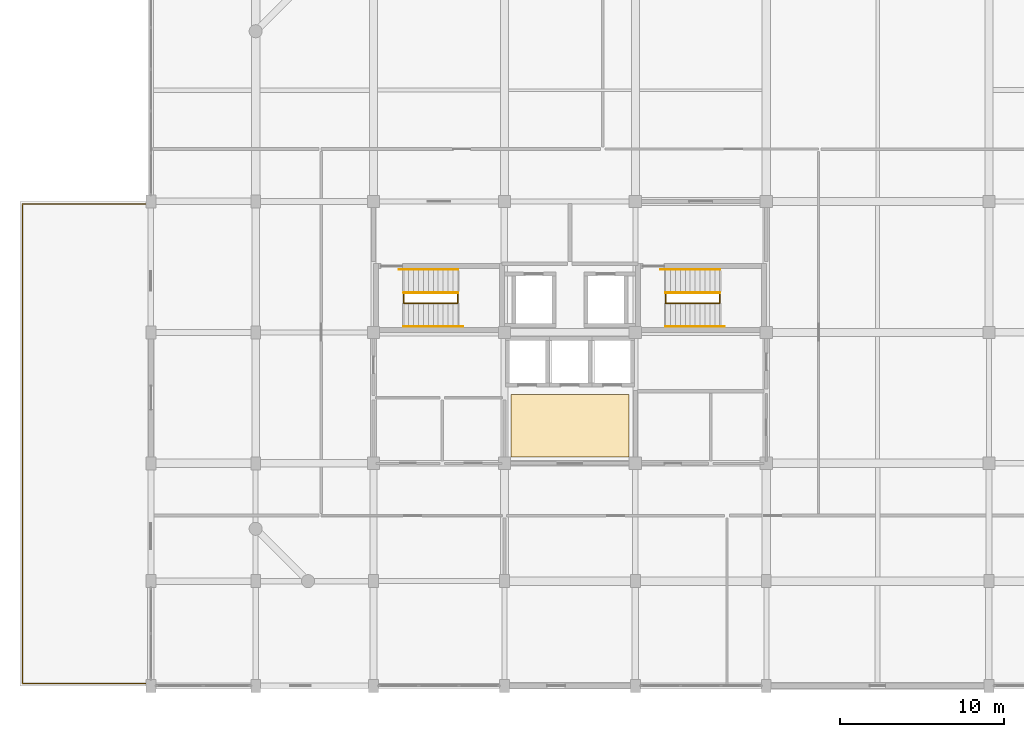
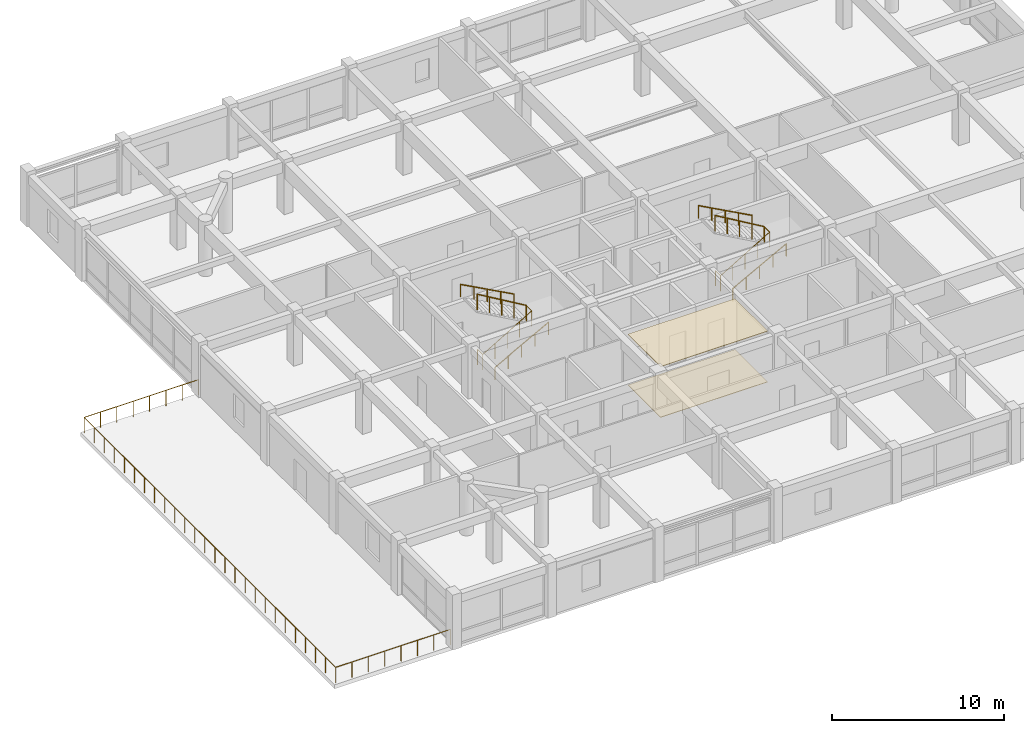
# One storey, part 14 of 14: 9 railings, 2 coverings.
"""IFC4 building model written with IfcOpenShell, lengths in metres."""

from ifc_helpers import new_model, si_unit, direction, frame, origin, origin_2d, place, context, subcontext, project, spatial, polyline, circle, outline, extrude, material, layer, layer_set, type_object, element, save


model = new_model("IFC4")

# Units and contexts
model_context = context("Model", 3, precision=1e-05, world=origin(), true_north=direction((0.0, 1.0)))
body_context = subcontext(model_context, "Body", "Model", "MODEL_VIEW")
ifc_project = project(units=[si_unit("LENGTHUNIT", "METRE"), si_unit("AREAUNIT", "SQUARE_METRE"), si_unit("VOLUMEUNIT", "CUBIC_METRE"), si_unit("PLANEANGLEUNIT", "RADIAN"), si_unit("MASSUNIT", "GRAM", prefix="KILO")], contexts=[model_context])

# Site, building, storey
site_placement = place(None, origin())
site = spatial("IfcSite", under=ifc_project, at=site_placement, CompositionType="ELEMENT")
building_placement = place(site_placement, origin())
building = spatial("IfcBuilding", under=site, at=building_placement, Name="Vellmiral Cinema and Media Centre", CompositionType="ELEMENT")
storey_placement = place(building_placement, frame((0.0, 0.0, 27.800048828125)))
storey = spatial("IfcBuildingStorey", under=building, at=storey_placement, Name="L06", CompositionType="ELEMENT", Elevation=27.800048828125)

# Coverings
ifc_material_1 = material(Name="Micro-Perforated Acoustic Gypsum Ceiling")
ifc_layer_1 = layer(ifc_material_1, 0.0400390625, Name="Micro-Perforated Acoustic Gypsum Ceiling")
ifc_layer_set_1 = layer_set([ifc_layer_1], Name="Micro-Perforated Acoustic Gypsum Ceiling")
covering_type_1 = type_object("IfcCoveringType", Name="COV-AC-CEILING", PredefinedType="CEILING", material=ifc_layer_set_1)
covering_1_placement = place(storey_placement, frame((0.0, 0.0, 3.599853515625)))
element("IfcCovering", 1, at=covering_1_placement, inside=storey, type_object=covering_type_1, Name="Acoustic Lobby Ceiling L06", PredefinedType="CEILING", context=body_context, shape_type="SweptSolid", body=[
    extrude(outline(polyline([(132.39990234375, 79.60009765625), (139.60009765625, 79.60009765625), (139.60009765625, 83.39990234375), (132.39990234375, 83.39990234375), (132.39990234375, 79.60009765625)])), origin(), (0.0, 0.0, 1.0), 0.0400390625),
])
ifc_material_2 = material(Name="Honed Terrazzo Acoustic Floor Finish")
ifc_layer_2 = layer(ifc_material_2, 0.030029296875, Name="Honed Terrazzo Acoustic Floor Finish")
ifc_layer_set_2 = layer_set([ifc_layer_2], Name="Honed Terrazzo Acoustic Floor Finish")
covering_type_2 = type_object("IfcCoveringType", Name="COV-TERR-FLOORING", PredefinedType="FLOORING", material=ifc_layer_set_2)
covering_2_placement = place(storey_placement, origin())
element("IfcCovering", 2, at=covering_2_placement, inside=storey, type_object=covering_type_2, Name="Terrazzo Lobby Flooring L06", PredefinedType="FLOORING", context=body_context, shape_type="SweptSolid", body=[
    extrude(outline(polyline([(132.39990234375, 79.60009765625), (139.60009765625, 79.60009765625), (139.60009765625, 83.39990234375), (132.39990234375, 83.39990234375), (132.39990234375, 79.60009765625)])), origin(), (0.0, 0.0, 1.0), 0.030029296875),
])

# Railings
ifc_material_3 = material(Name="Forged Wrought-Iron Whiplash Balustrade", Category="steel")
railing_type_1 = type_object("IfcRailingType", Name="RL-BAL-WROUGHT-1120", PredefinedType="BALUSTRADE", material=ifc_material_3)
railing_1_placement = place(storey_placement, frame((110.25, 95.050048828125, 0.0)))
element("IfcRailing", 3, at=railing_1_placement, inside=storey, type_object=railing_type_1, Name="Terrace Wrought-Iron Balustrade RL-TERR-L06-WEST", PredefinedType="BALUSTRADE", context=body_context, shape_type="SweptSolid", body=[
    extrude(circle(Radius=0.02392578125, at=origin_2d()), frame((0.0, 0.0, 1.09619140625), z_axis=(-1.0, 0.0, 0.0), x_axis=(0.0, -1.0, 0.0)), (0.0, 0.0, 1.0), 7.699951171875),
    extrude(circle(Radius=0.02392578125, at=origin_2d()), frame((-7.699951171875, 0.0, 1.09619140625), z_axis=(0.0, -1.0, 0.0), x_axis=(1.0, 0.0, 0.0)), (0.0, 0.0, 1.0), 29.300048828125),
    extrude(circle(Radius=0.02392578125, at=origin_2d()), frame((-7.699951171875, -29.300048828125, 1.09619140625), z_axis=(1.0, 0.0, 0.0), x_axis=(0.0, 1.0, 0.0)), (0.0, 0.0, 1.0), 7.699951171875),
    extrude(circle(Radius=0.02099609375, at=origin_2d()), origin(), (0.0, 0.0, 1.0), 1.072021484375),
    extrude(circle(Radius=0.02099609375, at=origin_2d()), frame((-1.10009765625, 0.0, 0.0)), (0.0, 0.0, 1.0), 1.072021484375),
    extrude(circle(Radius=0.02099609375, at=origin_2d()), frame((-2.199951171875, 0.0, 0.0)), (0.0, 0.0, 1.0), 1.072021484375),
    extrude(circle(Radius=0.02099609375, at=origin_2d()), frame((-3.300048828125, 0.0, 0.0)), (0.0, 0.0, 1.0), 1.072021484375),
    extrude(circle(Radius=0.02099609375, at=origin_2d()), frame((-4.39990234375, 0.0, 0.0)), (0.0, 0.0, 1.0), 1.072021484375),
    extrude(circle(Radius=0.02099609375, at=origin_2d()), frame((-5.5, 0.0, 0.0)), (0.0, 0.0, 1.0), 1.072021484375),
    extrude(circle(Radius=0.02099609375, at=origin_2d()), frame((-6.599853515625, 0.0, 0.0)), (0.0, 0.0, 1.0), 1.072021484375),
    extrude(circle(Radius=0.02099609375, at=origin_2d()), frame((-7.699951171875, 0.0, 0.0)), (0.0, 0.0, 1.0), 1.072021484375),
    extrude(circle(Radius=0.02099609375, at=origin_2d()), frame((-7.699951171875, -1.172119140625, 0.0)), (0.0, 0.0, 1.0), 1.072021484375),
    extrude(circle(Radius=0.02099609375, at=origin_2d()), frame((-7.699951171875, -2.343994140625, 0.0)), (0.0, 0.0, 1.0), 1.072021484375),
    extrude(circle(Radius=0.02099609375, at=origin_2d()), frame((-7.699951171875, -3.51611328125, 0.0)), (0.0, 0.0, 1.0), 1.072021484375),
    extrude(circle(Radius=0.02099609375, at=origin_2d()), frame((-7.699951171875, -4.68798828125, 0.0)), (0.0, 0.0, 1.0), 1.072021484375),
    extrude(circle(Radius=0.02099609375, at=origin_2d()), frame((-7.699951171875, -5.860107421875, 0.0)), (0.0, 0.0, 1.0), 1.072021484375),
    extrude(circle(Radius=0.02099609375, at=origin_2d()), frame((-7.699951171875, -7.031982421875, 0.0)), (0.0, 0.0, 1.0), 1.072021484375),
    extrude(circle(Radius=0.02099609375, at=origin_2d()), frame((-7.699951171875, -8.2041015625, 0.0)), (0.0, 0.0, 1.0), 1.072021484375),
    extrude(circle(Radius=0.02099609375, at=origin_2d()), frame((-7.699951171875, -9.3759765625, 0.0)), (0.0, 0.0, 1.0), 1.072021484375),
    extrude(circle(Radius=0.02099609375, at=origin_2d()), frame((-7.699951171875, -10.548095703125, 0.0)), (0.0, 0.0, 1.0), 1.072021484375),
    extrude(circle(Radius=0.02099609375, at=origin_2d()), frame((-7.699951171875, -11.719970703125, 0.0)), (0.0, 0.0, 1.0), 1.072021484375),
    extrude(circle(Radius=0.02099609375, at=origin_2d()), frame((-7.699951171875, -12.89208984375, 0.0)), (0.0, 0.0, 1.0), 1.072021484375),
    extrude(circle(Radius=0.02099609375, at=origin_2d()), frame((-7.699951171875, -14.06396484375, 0.0)), (0.0, 0.0, 1.0), 1.072021484375),
    extrude(circle(Radius=0.02099609375, at=origin_2d()), frame((-7.699951171875, -15.236083984375, 0.0)), (0.0, 0.0, 1.0), 1.072021484375),
    extrude(circle(Radius=0.02099609375, at=origin_2d()), frame((-7.699951171875, -16.407958984375, 0.0)), (0.0, 0.0, 1.0), 1.072021484375),
    extrude(circle(Radius=0.02099609375, at=origin_2d()), frame((-7.699951171875, -17.580078125, 0.0)), (0.0, 0.0, 1.0), 1.072021484375),
    extrude(circle(Radius=0.02099609375, at=origin_2d()), frame((-7.699951171875, -18.751953125, 0.0)), (0.0, 0.0, 1.0), 1.072021484375),
    extrude(circle(Radius=0.02099609375, at=origin_2d()), frame((-7.699951171875, -19.924072265625, 0.0)), (0.0, 0.0, 1.0), 1.072021484375),
    extrude(circle(Radius=0.02099609375, at=origin_2d()), frame((-7.699951171875, -21.095947265625, 0.0)), (0.0, 0.0, 1.0), 1.072021484375),
    extrude(circle(Radius=0.02099609375, at=origin_2d()), frame((-7.699951171875, -22.26806640625, 0.0)), (0.0, 0.0, 1.0), 1.072021484375),
    extrude(circle(Radius=0.02099609375, at=origin_2d()), frame((-7.699951171875, -23.43994140625, 0.0)), (0.0, 0.0, 1.0), 1.072021484375),
    extrude(circle(Radius=0.02099609375, at=origin_2d()), frame((-7.699951171875, -24.612060546875, 0.0)), (0.0, 0.0, 1.0), 1.072021484375),
    extrude(circle(Radius=0.02099609375, at=origin_2d()), frame((-7.699951171875, -25.783935546875, 0.0)), (0.0, 0.0, 1.0), 1.072021484375),
    extrude(circle(Radius=0.02099609375, at=origin_2d()), frame((-7.699951171875, -26.9560546875, 0.0)), (0.0, 0.0, 1.0), 1.072021484375),
    extrude(circle(Radius=0.02099609375, at=origin_2d()), frame((-7.699951171875, -28.1279296875, 0.0)), (0.0, 0.0, 1.0), 1.072021484375),
    extrude(circle(Radius=0.02099609375, at=origin_2d()), frame((-7.699951171875, -29.300048828125, 0.0)), (0.0, 0.0, 1.0), 1.072021484375),
    extrude(circle(Radius=0.02099609375, at=origin_2d()), frame((-6.599853515625, -29.300048828125, 0.0)), (0.0, 0.0, 1.0), 1.072021484375),
    extrude(circle(Radius=0.02099609375, at=origin_2d()), frame((-5.5, -29.300048828125, 0.0)), (0.0, 0.0, 1.0), 1.072021484375),
    extrude(circle(Radius=0.02099609375, at=origin_2d()), frame((-4.39990234375, -29.300048828125, 0.0)), (0.0, 0.0, 1.0), 1.072021484375),
    extrude(circle(Radius=0.02099609375, at=origin_2d()), frame((-3.300048828125, -29.300048828125, 0.0)), (0.0, 0.0, 1.0), 1.072021484375),
    extrude(circle(Radius=0.02099609375, at=origin_2d()), frame((-2.199951171875, -29.300048828125, 0.0)), (0.0, 0.0, 1.0), 1.072021484375),
    extrude(circle(Radius=0.02099609375, at=origin_2d()), frame((-1.10009765625, -29.300048828125, 0.0)), (0.0, 0.0, 1.0), 1.072021484375),
    extrude(circle(Radius=0.02099609375, at=origin_2d()), frame((0.0, -29.300048828125, 0.0)), (0.0, 0.0, 1.0), 1.072021484375),
])
ifc_material_4 = material(Name="Brushed Stainless Steel Handrail", Category="steel")
railing_type_2 = type_object("IfcRailingType", Name="RL-HANDRAIL-900", PredefinedType="HANDRAIL", material=ifc_material_4)
railing_2_placement = place(storey_placement, frame((125.85009765625, 87.56005859375, 0.162353515625)))
element("IfcRailing", 4, at=railing_2_placement, inside=storey, type_object=railing_type_2, Name="Stair Wall Handrail ST-T1 L06-1", PredefinedType="HANDRAIL", context=body_context, shape_type="SweptSolid", body=[
    extrude(circle(Radius=0.02392578125, at=origin_2d()), frame((0.0, 0.0, 0.8759765625), z_axis=(0.879263870249, 0.0, 0.476335014958), x_axis=(0.0, 1.0, 0.0)), (0.0, 0.0, 1.0), 4.09423828125),
    extrude(circle(Radius=0.02099609375, at=origin_2d()), origin(), (0.0, 0.0, 1.0), 0.851806640625),
    extrude(circle(Radius=0.02099609375, at=origin_2d()), frame((0.89990234375, 0.0, 0.487548828125)), (0.0, 0.0, 1.0), 0.851806640625),
    extrude(circle(Radius=0.02099609375, at=origin_2d()), frame((1.7998046875, 0.0, 0.97509765625)), (0.0, 0.0, 1.0), 0.851806640625),
    extrude(circle(Radius=0.02099609375, at=origin_2d()), frame((2.699951171875, 0.0, 1.462646484375)), (0.0, 0.0, 1.0), 0.851806640625),
    extrude(circle(Radius=0.02099609375, at=origin_2d()), frame((3.599853515625, 0.0, 1.9501953125)), (0.0, 0.0, 1.0), 0.851806640625),
])
railing_3_placement = place(storey_placement, frame((129.14990234375, 91.0400390625, 2.112548828125)))
element("IfcRailing", 5, at=railing_3_placement, inside=storey, type_object=railing_type_2, Name="Stair Wall Handrail ST-T1 L06-2", PredefinedType="HANDRAIL", context=body_context, shape_type="SweptSolid", body=[
    extrude(circle(Radius=0.02392578125, at=origin_2d()), frame((0.0, 0.0, 0.8759765625), z_axis=(-0.879288844789, 0.0, 0.476288911721), x_axis=(0.0, -1.0, 0.0)), (0.0, 0.0, 1.0), 4.093994140625),
    extrude(circle(Radius=0.02099609375, at=origin_2d()), origin(), (0.0, 0.0, 1.0), 0.851806640625),
    extrude(circle(Radius=0.02099609375, at=origin_2d()), frame((-0.89990234375, 0.0, 0.487548828125)), (0.0, 0.0, 1.0), 0.851806640625),
    extrude(circle(Radius=0.02099609375, at=origin_2d()), frame((-1.7998046875, 0.0, 0.97509765625)), (0.0, 0.0, 1.0), 0.851806640625),
    extrude(circle(Radius=0.02099609375, at=origin_2d()), frame((-2.699951171875, 0.0, 1.46240234375)), (0.0, 0.0, 1.0), 0.851806640625),
    extrude(circle(Radius=0.02099609375, at=origin_2d()), frame((-3.599853515625, 0.0, 1.949951171875)), (0.0, 0.0, 1.0), 0.851806640625),
])
railing_4_placement = place(storey_placement, frame((141.85009765625, 87.56005859375, 0.162353515625)))
element("IfcRailing", 6, at=railing_4_placement, inside=storey, type_object=railing_type_2, Name="Stair Wall Handrail ST-T2 L06-1", PredefinedType="HANDRAIL", context=body_context, shape_type="SweptSolid", body=[
    extrude(circle(Radius=0.02392578125, at=origin_2d()), frame((0.0, 0.0, 0.8759765625), z_axis=(0.879263870249, 0.0, 0.476335014958), x_axis=(0.0, 1.0, 0.0)), (0.0, 0.0, 1.0), 4.09423828125),
    extrude(circle(Radius=0.02099609375, at=origin_2d()), origin(), (0.0, 0.0, 1.0), 0.851806640625),
    extrude(circle(Radius=0.02099609375, at=origin_2d()), frame((0.89990234375, 0.0, 0.487548828125)), (0.0, 0.0, 1.0), 0.851806640625),
    extrude(circle(Radius=0.02099609375, at=origin_2d()), frame((1.7998046875, 0.0, 0.97509765625)), (0.0, 0.0, 1.0), 0.851806640625),
    extrude(circle(Radius=0.02099609375, at=origin_2d()), frame((2.699951171875, 0.0, 1.462646484375)), (0.0, 0.0, 1.0), 0.851806640625),
    extrude(circle(Radius=0.02099609375, at=origin_2d()), frame((3.599853515625, 0.0, 1.9501953125)), (0.0, 0.0, 1.0), 0.851806640625),
])
railing_5_placement = place(storey_placement, frame((145.14990234375, 91.0400390625, 2.112548828125)))
element("IfcRailing", 7, at=railing_5_placement, inside=storey, type_object=railing_type_2, Name="Stair Wall Handrail ST-T2 L06-2", PredefinedType="HANDRAIL", context=body_context, shape_type="SweptSolid", body=[
    extrude(circle(Radius=0.02392578125, at=origin_2d()), frame((0.0, 0.0, 0.8759765625), z_axis=(-0.879288844789, 0.0, 0.476288911721), x_axis=(0.0, -1.0, 0.0)), (0.0, 0.0, 1.0), 4.093994140625),
    extrude(circle(Radius=0.02099609375, at=origin_2d()), origin(), (0.0, 0.0, 1.0), 0.851806640625),
    extrude(circle(Radius=0.02099609375, at=origin_2d()), frame((-0.89990234375, 0.0, 0.487548828125)), (0.0, 0.0, 1.0), 0.851806640625),
    extrude(circle(Radius=0.02099609375, at=origin_2d()), frame((-1.7998046875, 0.0, 0.97509765625)), (0.0, 0.0, 1.0), 0.851806640625),
    extrude(circle(Radius=0.02099609375, at=origin_2d()), frame((-2.699951171875, 0.0, 1.46240234375)), (0.0, 0.0, 1.0), 0.851806640625),
    extrude(circle(Radius=0.02099609375, at=origin_2d()), frame((-3.599853515625, 0.0, 1.949951171875)), (0.0, 0.0, 1.0), 0.851806640625),
])
ifc_material_5 = material(Name="Painted Steel Stair Guardrail", Category="steel")
railing_type_3 = type_object("IfcRailingType", Name="RL-STAIR-GUARD-1120", PredefinedType="GUARDRAIL", material=ifc_material_5)
railing_6_placement = place(storey_placement, frame((125.85009765625, 89.580078125, 0.0)))
element("IfcRailing", 8, at=railing_6_placement, inside=storey, type_object=railing_type_3, Name="Stair Well Guard ST-T1 L06-A", PredefinedType="GUARDRAIL", context=body_context, shape_type="SweptSolid", body=[
    extrude(circle(Radius=0.02392578125, at=origin_2d()), frame((0.0, 0.0, 1.09619140625), z_axis=(0.0, -1.0, 0.0), x_axis=(1.0, 0.0, 0.0)), (0.0, 0.0, 1.0), 0.60009765625),
    extrude(circle(Radius=0.02392578125, at=origin_2d()), frame((0.0, -0.60009765625, 1.09619140625), z_axis=(0.86091891968, 0.0, 0.508742187887), x_axis=(0.0, 1.0, 0.0)), (0.0, 0.0, 1.0), 3.8330078125),
    extrude(circle(Radius=0.02392578125, at=origin_2d()), frame((3.2998046875, -0.60009765625, 3.0458984375), z_axis=(0.0, 1.0, 0.0), x_axis=(-1.0, 0.0, 0.0)), (0.0, 0.0, 1.0), 0.64013671875),
    extrude(circle(Radius=0.02099609375, at=origin_2d()), origin(), (0.0, 0.0, 1.0), 1.072021484375),
    extrude(circle(Radius=0.02099609375, at=origin_2d()), frame((0.0, -0.60009765625, 0.0)), (0.0, 0.0, 1.0), 1.072021484375),
    extrude(circle(Radius=0.02099609375, at=origin_2d()), frame((0.824951171875, -0.60009765625, 0.487548828125)), (0.0, 0.0, 1.0), 1.072021484375),
    extrude(circle(Radius=0.02099609375, at=origin_2d()), frame((1.64990234375, -0.60009765625, 0.97509765625)), (0.0, 0.0, 1.0), 1.072021484375),
    extrude(circle(Radius=0.02099609375, at=origin_2d()), frame((2.474853515625, -0.60009765625, 1.46240234375)), (0.0, 0.0, 1.0), 1.072021484375),
    extrude(circle(Radius=0.02099609375, at=origin_2d()), frame((3.2998046875, -0.60009765625, 1.949951171875)), (0.0, 0.0, 1.0), 1.072021484375),
    extrude(circle(Radius=0.02099609375, at=origin_2d()), frame((3.2998046875, 0.0400390625, 1.949951171875)), (0.0, 0.0, 1.0), 1.072021484375),
])
railing_7_placement = place(storey_placement, frame((129.14990234375, 89.6201171875, 1.949951171875)))
element("IfcRailing", 9, at=railing_7_placement, inside=storey, type_object=railing_type_3, Name="Stair Well Guard ST-T1 L06-B", PredefinedType="GUARDRAIL", context=body_context, shape_type="SweptSolid", body=[
    extrude(circle(Radius=0.02392578125, at=origin_2d()), frame((0.0, 0.0, 1.09619140625), z_axis=(-0.86091891968, 0.0, 0.508742187887), x_axis=(0.0, -1.0, 0.0)), (0.0, 0.0, 1.0), 3.8330078125),
    extrude(circle(Radius=0.02099609375, at=origin_2d()), origin(), (0.0, 0.0, 1.0), 1.072021484375),
    extrude(circle(Radius=0.02099609375, at=origin_2d()), frame((-0.824951171875, 0.0, 0.487548828125)), (0.0, 0.0, 1.0), 1.072021484375),
    extrude(circle(Radius=0.02099609375, at=origin_2d()), frame((-1.64990234375, 0.0, 0.97509765625)), (0.0, 0.0, 1.0), 1.072021484375),
    extrude(circle(Radius=0.02099609375, at=origin_2d()), frame((-2.474853515625, 0.0, 1.46240234375)), (0.0, 0.0, 1.0), 1.072021484375),
    extrude(circle(Radius=0.02099609375, at=origin_2d()), frame((-3.2998046875, 0.0, 1.949951171875)), (0.0, 0.0, 1.0), 1.072021484375),
])
railing_8_placement = place(storey_placement, frame((141.85009765625, 89.580078125, 0.0)))
element("IfcRailing", 10, at=railing_8_placement, inside=storey, type_object=railing_type_3, Name="Stair Well Guard ST-T2 L06-A", PredefinedType="GUARDRAIL", context=body_context, shape_type="SweptSolid", body=[
    extrude(circle(Radius=0.02392578125, at=origin_2d()), frame((0.0, 0.0, 1.09619140625), z_axis=(0.0, -1.0, 0.0), x_axis=(1.0, 0.0, 0.0)), (0.0, 0.0, 1.0), 0.60009765625),
    extrude(circle(Radius=0.02392578125, at=origin_2d()), frame((0.0, -0.60009765625, 1.09619140625), z_axis=(0.86091891968, 0.0, 0.508742187887), x_axis=(0.0, 1.0, 0.0)), (0.0, 0.0, 1.0), 3.8330078125),
    extrude(circle(Radius=0.02392578125, at=origin_2d()), frame((3.2998046875, -0.60009765625, 3.0458984375), z_axis=(0.0, 1.0, 0.0), x_axis=(-1.0, 0.0, 0.0)), (0.0, 0.0, 1.0), 0.64013671875),
    extrude(circle(Radius=0.02099609375, at=origin_2d()), origin(), (0.0, 0.0, 1.0), 1.072021484375),
    extrude(circle(Radius=0.02099609375, at=origin_2d()), frame((0.0, -0.60009765625, 0.0)), (0.0, 0.0, 1.0), 1.072021484375),
    extrude(circle(Radius=0.02099609375, at=origin_2d()), frame((0.824951171875, -0.60009765625, 0.487548828125)), (0.0, 0.0, 1.0), 1.072021484375),
    extrude(circle(Radius=0.02099609375, at=origin_2d()), frame((1.64990234375, -0.60009765625, 0.97509765625)), (0.0, 0.0, 1.0), 1.072021484375),
    extrude(circle(Radius=0.02099609375, at=origin_2d()), frame((2.474853515625, -0.60009765625, 1.46240234375)), (0.0, 0.0, 1.0), 1.072021484375),
    extrude(circle(Radius=0.02099609375, at=origin_2d()), frame((3.2998046875, -0.60009765625, 1.949951171875)), (0.0, 0.0, 1.0), 1.072021484375),
    extrude(circle(Radius=0.02099609375, at=origin_2d()), frame((3.2998046875, 0.0400390625, 1.949951171875)), (0.0, 0.0, 1.0), 1.072021484375),
])
railing_9_placement = place(storey_placement, frame((145.14990234375, 89.6201171875, 1.949951171875)))
element("IfcRailing", 11, at=railing_9_placement, inside=storey, type_object=railing_type_3, Name="Stair Well Guard ST-T2 L06-B", PredefinedType="GUARDRAIL", context=body_context, shape_type="SweptSolid", body=[
    extrude(circle(Radius=0.02392578125, at=origin_2d()), frame((0.0, 0.0, 1.09619140625), z_axis=(-0.86091891968, 0.0, 0.508742187887), x_axis=(0.0, -1.0, 0.0)), (0.0, 0.0, 1.0), 3.8330078125),
    extrude(circle(Radius=0.02099609375, at=origin_2d()), origin(), (0.0, 0.0, 1.0), 1.072021484375),
    extrude(circle(Radius=0.02099609375, at=origin_2d()), frame((-0.824951171875, 0.0, 0.487548828125)), (0.0, 0.0, 1.0), 1.072021484375),
    extrude(circle(Radius=0.02099609375, at=origin_2d()), frame((-1.64990234375, 0.0, 0.97509765625)), (0.0, 0.0, 1.0), 1.072021484375),
    extrude(circle(Radius=0.02099609375, at=origin_2d()), frame((-2.474853515625, 0.0, 1.46240234375)), (0.0, 0.0, 1.0), 1.072021484375),
    extrude(circle(Radius=0.02099609375, at=origin_2d()), frame((-3.2998046875, 0.0, 1.949951171875)), (0.0, 0.0, 1.0), 1.072021484375),
])

save(model, "model.ifc")
